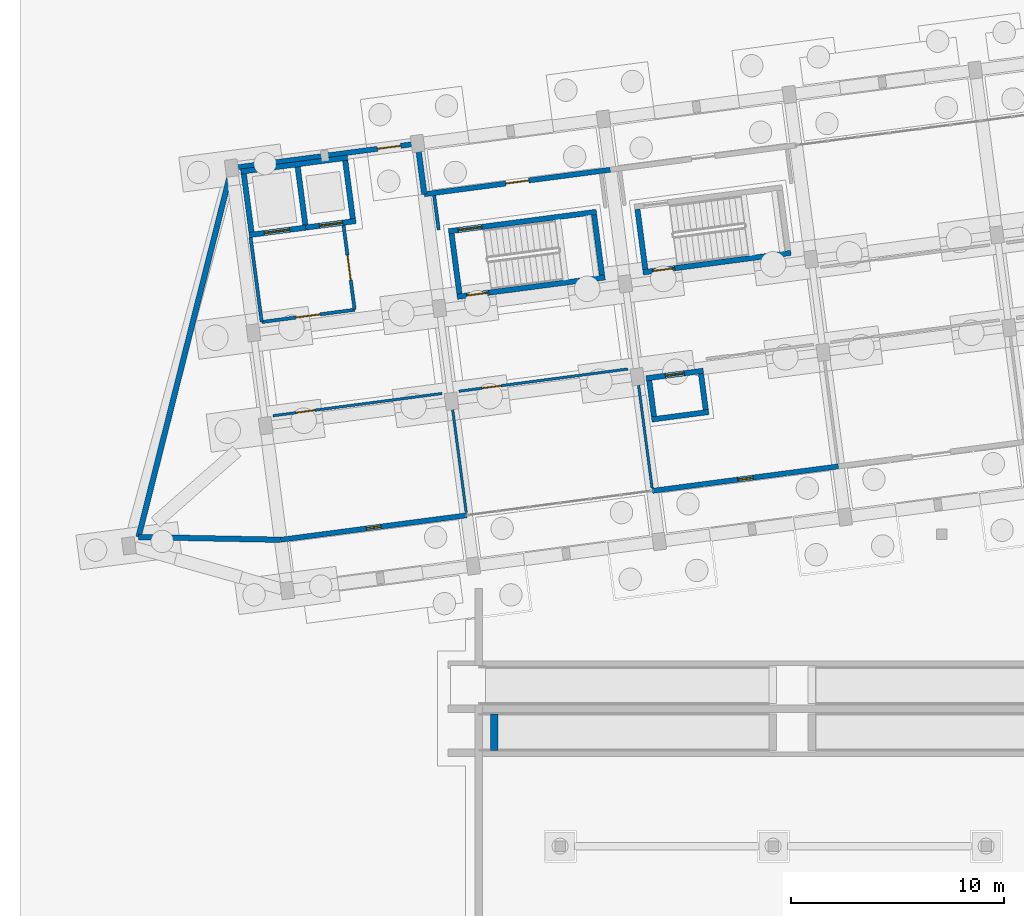
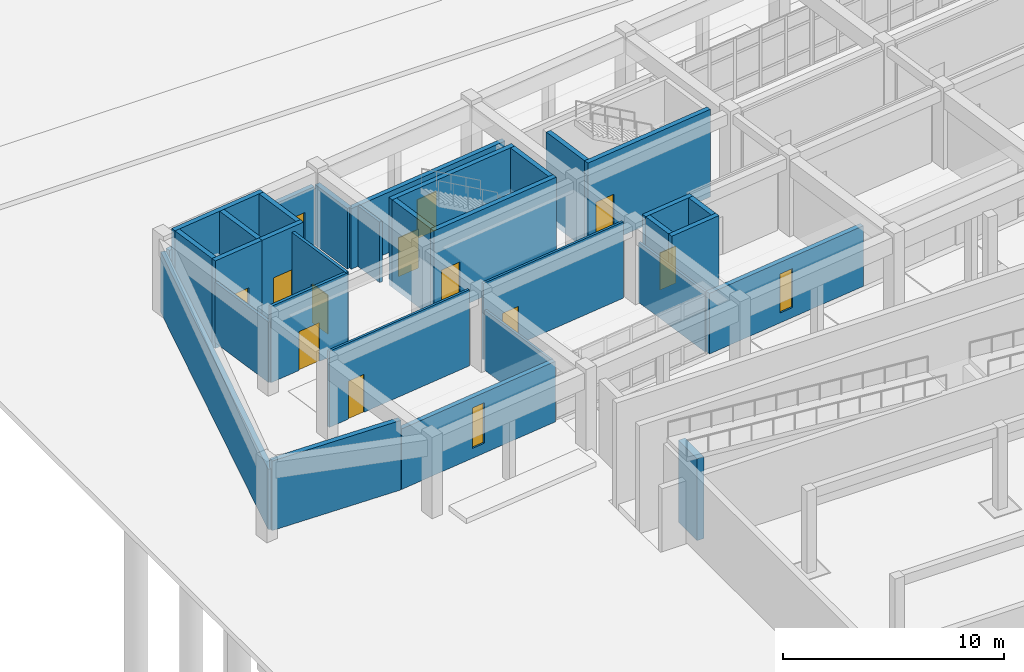
# One storey, part 123 of 154: 32 walls, 12 doors, 2 windows, 14 openings.
"""IFC4 building model written with IfcOpenShell, lengths in metres."""

from ifc_helpers import new_model, si_unit, direction, frame, frame_2d, origin, place, context, subcontext, project, spatial, rectangle, extrude, material, layer, layer_set, type_object, element, fill, save


model = new_model("IFC4")

# Units and contexts
model_context = context("Model", 3, precision=1e-05, world=origin(), true_north=direction((0.0, 1.0)))
body_context = subcontext(model_context, "Body", "Model", "MODEL_VIEW")
ifc_project = project(units=[si_unit("LENGTHUNIT", "METRE"), si_unit("AREAUNIT", "SQUARE_METRE"), si_unit("VOLUMEUNIT", "CUBIC_METRE"), si_unit("PLANEANGLEUNIT", "RADIAN"), si_unit("MASSUNIT", "GRAM", prefix="KILO")], contexts=[model_context])

# Site, building, storey
site_placement = place(None, origin())
site = spatial("IfcSite", under=ifc_project, at=site_placement, CompositionType="ELEMENT")
building_placement = place(site_placement, origin())
building = spatial("IfcBuilding", under=site, at=building_placement, Name="Kestramere Prow Commons", CompositionType="ELEMENT")
storey_placement = place(building_placement, origin())
storey = spatial("IfcBuildingStorey", under=building, at=storey_placement, Name="L00", CompositionType="ELEMENT", Elevation=0.0)

# Walls
ifc_material_1 = material(Name="Weathered Zinc-Titanium Standing-Seam Cladding")
ifc_layer_1 = layer(ifc_material_1, 0.260009765625)
ifc_layer_set_1 = layer_set([ifc_layer_1], Name="Weathered Zinc-Titanium Standing-Seam Cladding")
wall_type_1 = type_object("IfcWallType", Name="EW-PROW-260", PredefinedType="SOLIDWALL", material=ifc_layer_set_1)
wall_1_placement = place(storey_placement, frame((10.88671875, 74.37939453125, 0.0), z_axis=(0.0, 0.0, 1.0), x_axis=(-0.999809980174, 0.019493679608, 0.0)))
element("IfcWall", 1, at=wall_1_placement, inside=storey, type_object=wall_type_1, Name="Block A L00 PRW-S Wall", PredefinedType="SOLIDWALL", context=body_context, shape_type="SweptSolid", body=[
    extrude(rectangle(XDim=6.67529296875, YDim=0.260009765625, at=frame_2d((3.337646484375, 0.0))), origin(), (0.0, 0.0, 1.0), 3.85009765625),
])
wall_2_placement = place(storey_placement, frame((4.212646484375, 74.509521484375, 0.0), z_axis=(0.0, 0.0, 1.0), x_axis=(0.245004508144, 0.969521939406, 0.0)))
element("IfcWall", 2, at=wall_2_placement, inside=storey, type_object=wall_type_1, Name="Block A L00 PRW-N Wall", PredefinedType="SOLIDWALL", context=body_context, shape_type="SweptSolid", body=[
    extrude(rectangle(XDim=17.86376953125, YDim=0.260009765625, at=frame_2d((8.931884765625, 0.0))), origin(), (0.0, 0.0, 1.0), 3.35009765625),
])
wall_3_placement = place(storey_placement, frame((17.314208984375, 92.9775390625, 0.0), z_axis=(0.0, 0.0, 1.0), x_axis=(0.130517668463, -0.99144598351, 0.0)))
element("IfcWall", 3, at=wall_3_placement, inside=storey, type_object=wall_type_1, Name="Block A L00 STP-N Wall", PredefinedType="SOLIDWALL", context=body_context, shape_type="SweptSolid", body=[
    extrude(rectangle(XDim=2.39990234375, YDim=0.260009765625, at=frame_2d((1.199951171875, 0.0))), origin(), (0.0, 0.0, 1.0), 3.35009765625),
])

# Wall, opening, window
ifc_material_2 = material(Name="Fluoropolymer Standing-Seam Zinc-Aluminium Cladding", Category="aluminium")
ifc_layer_2 = layer(ifc_material_2, 0.239990234375)
ifc_layer_set_2 = layer_set([ifc_layer_2], Name="Fluoropolymer Standing-Seam Zinc-Aluminium Cladding")
wall_type_2 = type_object("IfcWallType", Name="EW-SEAM-240", PredefinedType="SOLIDWALL", material=ifc_layer_set_2)
wall_4_placement = place(storey_placement, frame((19.611572265625, 75.528076171875, 0.0), z_axis=(0.0, 0.0, 1.0), x_axis=(-0.991444377792, -0.130529865336, 0.0)))
wall_4 = element("IfcWall", 4, at=wall_4_placement, inside=storey, type_object=wall_type_2, Name="Block A L00 South Recessed Wall 1", PredefinedType="SOLIDWALL", context=body_context, shape_type="SweptSolid", body=[
    extrude(rectangle(XDim=8.800048828125, YDim=0.239990234375, at=frame_2d((4.39990234375, 0.0))), origin(), (0.0, 0.0, 1.0), 3.35009765625),
])
opening_1_placement = place(wall_4_placement, frame((4.06005859375, 0.0, 0.550048828125)))
opening_1 = element("IfcOpeningElement", 5, at=opening_1_placement, cuts=wall_4, Name="Opening WN-06", PredefinedType="OPENING", context=body_context, shape_type="SweptSolid", body=[
    extrude(rectangle(XDim=0.679931640625, YDim=2.239990234375, at=frame_2d((0.33984375, 1.1201171875))), frame((0.0, 0.135009765625, 0.0), z_axis=(0.0, -1.0, 0.0), x_axis=(1.0, 0.0, 0.0)), (0.0, 0.0, 1.0), 0.27001953125),
])
ifc_material_3 = material(Name="Low-E Laminated Double Glazing", Category="glass")
window_type_1 = type_object("IfcWindowType", Name="WN-NAR-680A", PartitioningType="SINGLE_PANEL", PredefinedType="WINDOW", material=ifc_material_3)
window_1_placement = place(opening_1_placement, origin())
window_1 = element("IfcWindow", 6, at=window_1_placement, inside=storey, type_object=window_type_1, Name="WN-A-L00-S-0", OverallHeight=2.239990234375, OverallWidth=0.679931640625, PartitioningType="SINGLE_PANEL", PredefinedType="WINDOW", context=body_context, shape_type="SweptSolid", body=[
    extrude(rectangle(XDim=0.679931640625, YDim=2.239990234375, at=frame_2d((0.33984375, 1.1201171875))), frame((0.0, 0.030029296875, 0.0), z_axis=(0.0, -1.0, 0.0), x_axis=(1.0, 0.0, 0.0)), (0.0, 0.0, 1.0), 0.06005859375),
])
fill(opening_1, window_1)

wall_5_placement = place(storey_placement, frame((37.060791015625, 77.825439453125, 0.0), z_axis=(0.0, 0.0, 1.0), x_axis=(-0.991443905089, -0.130533455715, 0.0)))
wall_5 = element("IfcWall", 7, at=wall_5_placement, inside=storey, type_object=wall_type_2, Name="Block A L00 South Recessed Wall 3", PredefinedType="SOLIDWALL", context=body_context, shape_type="SweptSolid", body=[
    extrude(rectangle(XDim=8.7998046875, YDim=0.239990234375, at=frame_2d((4.39990234375, 0.0))), origin(), (0.0, 0.0, 1.0), 3.35009765625),
])
opening_2_placement = place(wall_5_placement, frame((4.0400390625, 0.0, 0.550048828125)))
opening_2 = element("IfcOpeningElement", 8, at=opening_2_placement, cuts=wall_5, Name="Opening WN-08", PredefinedType="OPENING", context=body_context, shape_type="SweptSolid", body=[
    extrude(rectangle(XDim=0.719970703125, YDim=2.159912109375, at=frame_2d((0.35986328125, 1.080078125))), frame((0.0, 0.135009765625, 0.0), z_axis=(0.0, -1.0, 0.0), x_axis=(1.0, 0.0, 0.0)), (0.0, 0.0, 1.0), 0.27001953125),
])
window_type_2 = type_object("IfcWindowType", Name="WN-NAR-720A", PartitioningType="SINGLE_PANEL", PredefinedType="WINDOW", material=ifc_material_3)
window_2_placement = place(opening_2_placement, origin())
window_2 = element("IfcWindow", 9, at=window_2_placement, inside=storey, type_object=window_type_2, Name="WN-A-L00-S-2", OverallHeight=2.159912109375, OverallWidth=0.719970703125, PartitioningType="SINGLE_PANEL", PredefinedType="WINDOW", context=body_context, shape_type="SweptSolid", body=[
    extrude(rectangle(XDim=0.719970703125, YDim=2.159912109375, at=frame_2d((0.35986328125, 1.080078125))), frame((0.0, 0.030029296875, 0.0), z_axis=(0.0, -1.0, 0.0), x_axis=(1.0, 0.0, 0.0)), (0.0, 0.0, 1.0), 0.06005859375),
])
fill(opening_2, window_2)

# Wall, opening, door
wall_6_placement = place(storey_placement, frame((8.83740234375, 91.861572265625, 0.0), z_axis=(0.0, 0.0, 1.0), x_axis=(0.99144668492, 0.130512340266, 0.0)))
wall_6 = element("IfcWall", 10, at=wall_6_placement, inside=storey, type_object=wall_type_2, Name="Block A L00 North Recessed Wall 1", PredefinedType="SOLIDWALL", context=body_context, shape_type="SweptSolid", body=[
    extrude(rectangle(XDim=8.300048828125, YDim=0.239990234375, at=frame_2d((4.14990234375, 0.0))), origin(), (0.0, 0.0, 1.0), 3.35009765625),
])
opening_3_placement = place(wall_6_placement, frame((6.64990234375, 0.0, 0.0)))
opening_3 = element("IfcOpeningElement", 11, at=opening_3_placement, cuts=wall_6, Name="Opening ED-04", PredefinedType="OPENING", context=body_context, shape_type="SweptSolid", body=[
    extrude(rectangle(XDim=1.10009765625, YDim=2.14990234375, at=frame_2d((0.550048828125, 1.074951171875))), frame((0.0, 0.135009765625, 0.0), z_axis=(0.0, -1.0, 0.0), x_axis=(1.0, 0.0, 0.0)), (0.0, 0.0, 1.0), 0.27001953125),
])
ifc_material_4 = material(Name="Thermally-Broken Anodised Aluminium Glazed", Category="aluminium")
door_type_1 = type_object("IfcDoorType", Name="ED-FFL-1100", OperationType="NOTDEFINED", PredefinedType="DOOR", material=ifc_material_4)
door_1_placement = place(opening_3_placement, origin())
door_1 = element("IfcDoor", 12, at=door_1_placement, inside=storey, type_object=door_type_1, Name="Block A Fire-Fighting Lobby Exit Door", OperationType="SINGLE_SWING_LEFT", OverallHeight=2.14990234375, OverallWidth=1.10009765625, PredefinedType="DOOR", context=body_context, shape_type="SweptSolid", body=[
    extrude(rectangle(XDim=1.10009765625, YDim=2.14990234375, at=frame_2d((0.550048828125, 1.074951171875))), frame((0.0, 0.02490234375, 0.0), z_axis=(0.0, -1.0, 0.0), x_axis=(1.0, 0.0, 0.0)), (0.0, 0.0, 1.0), 0.050048828125),
])
fill(opening_3, door_1)

wall_7_placement = place(storey_placement, frame((17.62744140625, 90.59814453125, 0.0), z_axis=(0.0, 0.0, 1.0), x_axis=(0.991447495205, 0.130506184728, 0.0)))
wall_7 = element("IfcWall", 13, at=wall_7_placement, inside=storey, type_object=wall_type_2, Name="Block A L00 North Recessed Wall 2", PredefinedType="SOLIDWALL", context=body_context, shape_type="SweptSolid", body=[
    extrude(rectangle(XDim=8.7998046875, YDim=0.239990234375, at=frame_2d((4.39990234375, 0.0))), origin(), (0.0, 0.0, 1.0), 3.35009765625),
])
opening_4_placement = place(wall_7_placement, frame((3.85009765625, 0.0, 0.0)))
opening_4 = element("IfcOpeningElement", 14, at=opening_4_placement, cuts=wall_7, Name="Opening ED-03", PredefinedType="OPENING", context=body_context, shape_type="SweptSolid", body=[
    extrude(rectangle(XDim=1.10009765625, YDim=2.14990234375, at=frame_2d((0.550048828125, 1.074951171875))), frame((0.0, 0.135009765625, 0.0), z_axis=(0.0, -1.0, 0.0), x_axis=(1.0, 0.0, 0.0)), (0.0, 0.0, 1.0), 0.27001953125),
])
door_type_2 = type_object("IfcDoorType", Name="ED-STAIR-1100", OperationType="NOTDEFINED", PredefinedType="DOOR", material=ifc_material_4)
door_2_placement = place(opening_4_placement, origin())
door_2 = element("IfcDoor", 15, at=door_2_placement, inside=storey, type_object=door_type_2, Name="Block A Stair 1 Final Exit Door", OperationType="SINGLE_SWING_RIGHT", OverallHeight=2.14990234375, OverallWidth=1.10009765625, PredefinedType="DOOR", context=body_context, shape_type="SweptSolid", body=[
    extrude(rectangle(XDim=1.10009765625, YDim=2.14990234375, at=frame_2d((0.550048828125, 1.074951171875))), frame((0.0, 0.02490234375, 0.0), z_axis=(0.0, -1.0, 0.0), x_axis=(1.0, 0.0, 0.0)), (0.0, 0.0, 1.0), 0.050048828125),
])
fill(opening_4, door_2)

# Wall
ifc_material_5 = material(Name="Concrete C40/50", Category="concrete")
ifc_layer_3 = layer(ifc_material_5, 0.25)
ifc_layer_set_3 = layer_set([ifc_layer_3], Name="Concrete C40/50")
wall_type_3 = type_object("IfcWallType", Name="W-CORE-250", PredefinedType="SHEAR", material=ifc_layer_set_3)
wall_8_placement = place(storey_placement, frame((9.015380859375, 91.657958984375, -0.35009765625), z_axis=(0.0, 0.0, 1.0), x_axis=(0.991444419808, 0.130529546201, 0.0)))
element("IfcWall", 16, at=wall_8_placement, inside=storey, type_object=wall_type_3, Name="Block A L00 Lift Core Back Wall", PredefinedType="SHEAR", context=body_context, shape_type="SweptSolid", body=[
    extrude(rectangle(XDim=5.050048828125, YDim=0.25, at=frame_2d((2.52490234375, 0.0))), origin(), (0.0, 0.0, 1.0), 4.85009765625),
])

# Wall, opening, door
wall_9_placement = place(storey_placement, frame((9.406982421875, 88.68359375, -0.35009765625), z_axis=(0.0, 0.0, 1.0), x_axis=(0.991434713833, 0.130603247307, 0.0)))
wall_9 = element("IfcWall", 17, at=wall_9_placement, inside=storey, type_object=wall_type_3, Name="Block A L00 Fire Lift Shaft Front Wall", PredefinedType="SHEAR", context=body_context, shape_type="SweptSolid", body=[
    extrude(rectangle(XDim=2.675048828125, YDim=0.25, at=frame_2d((1.33740234375, 0.0))), origin(), (0.0, 0.0, 1.0), 4.85009765625),
])
opening_5_placement = place(wall_9_placement, frame((0.719970703125, 0.0, 0.35009765625)))
opening_5 = element("IfcOpeningElement", 18, at=opening_5_placement, cuts=wall_9, Name="Opening LD-02", PredefinedType="OPENING", context=body_context, shape_type="SweptSolid", body=[
    extrude(rectangle(XDim=1.199951171875, YDim=2.199951171875, at=frame_2d((0.60009765625, 1.10009765625))), frame((0.0, 0.139892578125, 0.0), z_axis=(0.0, -1.0, 0.0), x_axis=(1.0, 0.0, 0.0)), (0.0, 0.0, 1.0), 0.280029296875),
])
ifc_material_6 = material(Name="Brushed Stainless Steel 316", Category="steel")
door_type_3 = type_object("IfcDoorType", Name="LD-02", OperationType="DOUBLE_DOOR_SLIDING", PredefinedType="DOOR", material=ifc_material_6)
door_3_placement = place(opening_5_placement, origin())
door_3 = element("IfcDoor", 19, at=door_3_placement, inside=storey, type_object=door_type_3, Name="FL-A1 L00 Lift Landing Door", OperationType="DOUBLE_DOOR_SLIDING", OverallHeight=2.199951171875, OverallWidth=1.199951171875, PredefinedType="DOOR", context=body_context, shape_type="SweptSolid", body=[
    extrude(rectangle(XDim=1.199951171875, YDim=2.199951171875, at=frame_2d((0.60009765625, 1.10009765625))), frame((0.0, 0.02490234375, 0.0), z_axis=(0.0, -1.0, 0.0), x_axis=(1.0, 0.0, 0.0)), (0.0, 0.0, 1.0), 0.050048828125),
])
fill(opening_5, door_3)

wall_10_placement = place(storey_placement, frame((12.05908203125, 89.032958984375, -0.35009765625), z_axis=(0.0, 0.0, 1.0), x_axis=(0.99145534515, 0.130446535303, 0.0)))
wall_10 = element("IfcWall", 20, at=wall_10_placement, inside=storey, type_object=wall_type_3, Name="Block A L00 Passenger Lift Shaft Front Wall", PredefinedType="SHEAR", context=body_context, shape_type="SweptSolid", body=[
    extrude(rectangle(XDim=2.375, YDim=0.25, at=frame_2d((1.1875, 0.0))), origin(), (0.0, 0.0, 1.0), 4.85009765625),
])
opening_6_placement = place(wall_10_placement, frame((0.64990234375, 0.0, 0.35009765625)))
opening_6 = element("IfcOpeningElement", 21, at=opening_6_placement, cuts=wall_10, Name="Opening LD-01", PredefinedType="OPENING", context=body_context, shape_type="SweptSolid", body=[
    extrude(rectangle(XDim=1.10009765625, YDim=2.14990234375, at=frame_2d((0.550048828125, 1.074951171875))), frame((0.0, 0.139892578125, 0.0), z_axis=(0.0, -1.0, 0.0), x_axis=(1.0, 0.0, 0.0)), (0.0, 0.0, 1.0), 0.280029296875),
])
ifc_material_7 = material(Name="Brushed Stainless Steel 304", Category="steel")
door_type_4 = type_object("IfcDoorType", Name="LD-01", OperationType="DOUBLE_DOOR_SLIDING", PredefinedType="DOOR", material=ifc_material_7)
door_4_placement = place(opening_6_placement, origin())
door_4 = element("IfcDoor", 22, at=door_4_placement, inside=storey, type_object=door_type_4, Name="PL-A2 L00 Lift Landing Door", OperationType="DOUBLE_DOOR_SLIDING", OverallHeight=2.14990234375, OverallWidth=1.10009765625, PredefinedType="DOOR", context=body_context, shape_type="SweptSolid", body=[
    extrude(rectangle(XDim=1.10009765625, YDim=2.14990234375, at=frame_2d((0.550048828125, 1.074951171875))), frame((0.0, 0.02490234375, 0.0), z_axis=(0.0, -1.0, 0.0), x_axis=(1.0, 0.0, 0.0)), (0.0, 0.0, 1.0), 0.050048828125),
])
fill(opening_6, door_4)

# Walls
for number, where, z_axis, x_axis, name in (
    (23, (9.5146484375, 88.823974609375, -0.35009765625), (0.0, 0.0, 1.0), (-0.130500441374, 0.991448251197, 0.0), "Block A L00 Lift Core Side Wall L"),
    (24, (12.042724609375, 89.15673828125, -0.35009765625), (0.0, 0.0, 1.0), (-0.130500441374, 0.991448251197, 0.0), "Block A L00 Lift Core Side Wall M"),
    (25, (14.2734375, 89.450439453125, -0.35009765625), (0.0, 0.0, 1.0), (-0.130500441374, 0.991448251197, 0.0), "Block A L00 Lift Core Side Wall R"),
):
    element("IfcWall", number, at=place(storey_placement, frame(where, z_axis=z_axis, x_axis=x_axis)), inside=storey, type_object=wall_type_3, Name=name, PredefinedType="SHEAR", context=body_context, shape_type="SweptSolid", body=[
        extrude(rectangle(XDim=2.75, YDim=0.25, at=frame_2d((1.375, 0.0))), origin(), (0.0, 0.0, 1.0), 4.85009765625),
    ])

# Wall, opening, door
wall_11_placement = place(storey_placement, frame((18.764404296875, 88.856689453125, -0.35009765625), z_axis=(0.0, 0.0, 1.0), x_axis=(0.991447052715, 0.13050954625, 0.0)))
wall_11 = element("IfcWall", 26, at=wall_11_placement, inside=storey, type_object=wall_type_3, Name="ST-A1 L00 North Shaft Wall", PredefinedType="SHEAR", context=body_context, shape_type="SweptSolid", body=[
    extrude(rectangle(XDim=7.0, YDim=0.25, at=frame_2d((3.5, 0.0))), origin(), (0.0, 0.0, 1.0), 4.85009765625),
])
opening_7_placement = place(wall_11_placement, frame((0.449951171875, 0.0, 0.35009765625)))
opening_7 = element("IfcOpeningElement", 27, at=opening_7_placement, cuts=wall_11, Name="Opening ID-02", PredefinedType="OPENING", context=body_context, shape_type="SweptSolid", body=[
    extrude(rectangle(XDim=1.1201171875, YDim=2.14990234375, at=frame_2d((0.56005859375, 1.074951171875))), frame((0.0, 0.139892578125, 0.0), z_axis=(0.0, -1.0, 0.0), x_axis=(1.0, 0.0, 0.0)), (0.0, 0.0, 1.0), 0.280029296875),
])
ifc_material_8 = material(Name="Fire-Rated Timber and Steel Frame", Category="steel")
door_type_5 = type_object("IfcDoorType", Name="FD-ST-02", OperationType="NOTDEFINED", PredefinedType="DOOR", material=ifc_material_8)
door_5_placement = place(opening_7_placement, origin())
door_5 = element("IfcDoor", 28, at=door_5_placement, inside=storey, type_object=door_type_5, Name="ST-A1 L00 Discharge Vestibule Door", OperationType="SINGLE_SWING_RIGHT", OverallHeight=2.14990234375, OverallWidth=1.1201171875, PredefinedType="DOOR", context=body_context, shape_type="SweptSolid", body=[
    extrude(rectangle(XDim=1.1201171875, YDim=2.14990234375, at=frame_2d((0.56005859375, 1.074951171875))), frame((0.0, 0.02490234375, 0.0), z_axis=(0.0, -1.0, 0.0), x_axis=(1.0, 0.0, 0.0)), (0.0, 0.0, 1.0), 0.050048828125),
])
fill(opening_7, door_5)

wall_12_placement = place(storey_placement, frame((19.169189453125, 85.783203125, -0.35009765625), z_axis=(0.0, 0.0, 1.0), x_axis=(0.991446458634, 0.130514059249, 0.0)))
wall_12 = element("IfcWall", 29, at=wall_12_placement, inside=storey, type_object=wall_type_3, Name="ST-A1 L00 Corridor Shaft Wall", PredefinedType="SHEAR", context=body_context, shape_type="SweptSolid", body=[
    extrude(rectangle(XDim=6.999755859375, YDim=0.25, at=frame_2d((3.5, 0.0))), origin(), (0.0, 0.0, 1.0), 4.85009765625),
])
opening_8_placement = place(wall_12_placement, frame((0.449951171875, 0.0, 0.35009765625)))
opening_8 = element("IfcOpeningElement", 30, at=opening_8_placement, cuts=wall_12, Name="Opening ID-01", PredefinedType="OPENING", context=body_context, shape_type="SweptSolid", body=[
    extrude(rectangle(XDim=1.050048828125, YDim=2.14990234375, at=frame_2d((0.52490234375, 1.074951171875))), frame((0.0, 0.139892578125, 0.0), z_axis=(0.0, -1.0, 0.0), x_axis=(1.0, 0.0, 0.0)), (0.0, 0.0, 1.0), 0.280029296875),
])
door_type_6 = type_object("IfcDoorType", Name="FD-ST-01", OperationType="NOTDEFINED", PredefinedType="DOOR", material=ifc_material_8)
door_6_placement = place(opening_8_placement, origin())
door_6 = element("IfcDoor", 31, at=door_6_placement, inside=storey, type_object=door_type_6, Name="ST-A1 L00 Protected Stair Door", OperationType="SINGLE_SWING_LEFT", OverallHeight=2.14990234375, OverallWidth=1.050048828125, PredefinedType="DOOR", context=body_context, shape_type="SweptSolid", body=[
    extrude(rectangle(XDim=1.050048828125, YDim=2.14990234375, at=frame_2d((0.52490234375, 1.074951171875))), frame((0.0, 0.02490234375, 0.0), z_axis=(0.0, -1.0, 0.0), x_axis=(1.0, 0.0, 0.0)), (0.0, 0.0, 1.0), 0.050048828125),
])
fill(opening_8, door_6)

# Walls
for number, where, z_axis, x_axis, name in (
    (32, (19.27685546875, 85.92333984375, -0.35009765625), (0.0, 0.0, 1.0), (-0.130547578832, 0.991442045538, 0.0), "ST-A1 L00 Near Shaft Wall"),
    (33, (25.968994140625, 86.804443359375, -0.35009765625), (0.0, 0.0, 1.0), (-0.130547578832, 0.991442045538, 0.0), "ST-A1 L00 Far Shaft Wall"),
):
    element("IfcWall", number, at=place(storey_placement, frame(where, z_axis=z_axis, x_axis=x_axis)), inside=storey, type_object=wall_type_3, Name=name, PredefinedType="SHEAR", context=body_context, shape_type="SweptSolid", body=[
        extrude(rectangle(XDim=2.85009765625, YDim=0.25, at=frame_2d((1.425048828125, 0.0))), origin(), (0.0, 0.0, 1.0), 4.85009765625),
    ])

# Wall, opening, door
wall_13_placement = place(storey_placement, frame((27.893798828125, 86.931640625, -0.35009765625), z_axis=(0.0, 0.0, 1.0), x_axis=(0.991442539299, 0.130543828916, 0.0)))
wall_13 = element("IfcWall", 34, at=wall_13_placement, inside=storey, type_object=wall_type_3, Name="ST-A2 L00 Corridor Shaft Wall", PredefinedType="SHEAR", context=body_context, shape_type="SweptSolid", body=[
    extrude(rectangle(XDim=7.0, YDim=0.25, at=frame_2d((3.5, 0.0))), origin(), (0.0, 0.0, 1.0), 4.85009765625),
])
opening_9_placement = place(wall_13_placement, frame((0.449951171875, 0.0, 0.35009765625)))
opening_9 = element("IfcOpeningElement", 35, at=opening_9_placement, cuts=wall_13, Name="Opening ID-01", PredefinedType="OPENING", context=body_context, shape_type="SweptSolid", body=[
    extrude(rectangle(XDim=1.050048828125, YDim=2.14990234375, at=frame_2d((0.52490234375, 1.074951171875))), frame((0.0, 0.139892578125, 0.0), z_axis=(0.0, -1.0, 0.0), x_axis=(1.0, 0.0, 0.0)), (0.0, 0.0, 1.0), 0.280029296875),
])
door_7_placement = place(opening_9_placement, origin())
door_7 = element("IfcDoor", 36, at=door_7_placement, inside=storey, type_object=door_type_6, Name="ST-A2 L00 Protected Stair Door", OperationType="SINGLE_SWING_LEFT", OverallHeight=2.14990234375, OverallWidth=1.050048828125, PredefinedType="DOOR", context=body_context, shape_type="SweptSolid", body=[
    extrude(rectangle(XDim=1.050048828125, YDim=2.14990234375, at=frame_2d((0.52490234375, 1.074951171875))), frame((0.0, 0.02490234375, 0.0), z_axis=(0.0, -1.0, 0.0), x_axis=(1.0, 0.0, 0.0)), (0.0, 0.0, 1.0), 0.050048828125),
])
fill(opening_9, door_7)

# Wall
wall_14_placement = place(storey_placement, frame((28.00146484375, 87.072021484375, -0.35009765625), z_axis=(0.0, 0.0, 1.0), x_axis=(-0.130547578832, 0.991442045538, 0.0)))
element("IfcWall", 37, at=wall_14_placement, inside=storey, type_object=wall_type_3, Name="ST-A2 L00 Near Shaft Wall", PredefinedType="SHEAR", context=body_context, shape_type="SweptSolid", body=[
    extrude(rectangle(XDim=2.85009765625, YDim=0.25, at=frame_2d((1.425048828125, 0.0))), origin(), (0.0, 0.0, 1.0), 4.85009765625),
])

# Wall, opening, door
ifc_material_9 = material(Name="Fire-Rated Calcium Silicate Wall")
ifc_layer_4 = layer(ifc_material_9, 0.155029296875)
ifc_layer_set_4 = layer_set([ifc_layer_4], Name="Fire-Rated Calcium Silicate Wall")
wall_type_4 = type_object("IfcWallType", Name="W-FIRE-150", PredefinedType="PARTITIONING", material=ifc_layer_set_4)
wall_15_placement = place(storey_placement, frame((9.994873046875, 84.6005859375, 0.0), z_axis=(0.0, 0.0, 1.0), x_axis=(0.991448440179, 0.130499005613, 0.0)))
wall_15 = element("IfcWall", 38, at=wall_15_placement, inside=storey, type_object=wall_type_4, Name="Interior Partition PW-A-L00-FFL-S", PredefinedType="PARTITIONING", context=body_context, shape_type="SweptSolid", body=[
    extrude(rectangle(XDim=4.400146484375, YDim=0.155029296875, at=frame_2d((2.2001953125, 0.0))), origin(), (0.0, 0.0, 1.0), 4.219970703125),
])
opening_10_placement = place(wall_15_placement, frame((1.60009765625, 0.0, 0.0)))
opening_10 = element("IfcOpeningElement", 39, at=opening_10_placement, cuts=wall_15, Name="Opening ID-03", PredefinedType="OPENING", context=body_context, shape_type="SweptSolid", body=[
    extrude(rectangle(XDim=1.179931640625, YDim=2.14990234375, at=frame_2d((0.58984375, 1.074951171875))), frame((0.0, 0.092529296875, 0.0), z_axis=(0.0, -1.0, 0.0), x_axis=(1.0, 0.0, 0.0)), (0.0, 0.0, 1.0), 0.18505859375),
])
ifc_material_10 = material(Name="Fire-Rated Glazed Smoke-Stop Door")
door_type_7 = type_object("IfcDoorType", Name="FD-LB-01", OperationType="NOTDEFINED", PredefinedType="DOOR", material=ifc_material_10)
door_8_placement = place(opening_10_placement, origin())
door_8 = element("IfcDoor", 40, at=door_8_placement, inside=storey, type_object=door_type_7, Name="Interior Door DR-A-L00-FFL", OperationType="SINGLE_SWING_LEFT", OverallHeight=2.14990234375, OverallWidth=1.179931640625, PredefinedType="DOOR", context=body_context, shape_type="SweptSolid", body=[
    extrude(rectangle(XDim=1.179931640625, YDim=2.14990234375, at=frame_2d((0.58984375, 1.074951171875))), frame((0.0, 0.02490234375, 0.0), z_axis=(0.0, -1.0, 0.0), x_axis=(1.0, 0.0, 0.0)), (0.0, 0.0, 1.0), 0.050048828125),
])
fill(opening_10, door_8)

# Wall
wall_16_placement = place(storey_placement, frame((9.994873046875, 84.6005859375, 0.0), z_axis=(0.0, 0.0, 1.0), x_axis=(-0.130492404742, 0.991449308994, 0.0)))
element("IfcWall", 41, at=wall_16_placement, inside=storey, type_object=wall_type_4, Name="Interior Partition PW-A-L00-FFL-W", PredefinedType="PARTITIONING", context=body_context, shape_type="SweptSolid", body=[
    extrude(rectangle(XDim=4.0, YDim=0.155029296875, at=frame_2d((2.0, 0.0))), origin(), (0.0, 0.0, 1.0), 3.35009765625),
])

# Wall, opening, door
wall_17_placement = place(storey_placement, frame((14.357421875, 85.1748046875, 0.0), z_axis=(0.0, 0.0, 1.0), x_axis=(-0.130552399509, 0.991441410766, 0.0)))
wall_17 = element("IfcWall", 42, at=wall_17_placement, inside=storey, type_object=wall_type_4, Name="Interior Partition PW-A-L00-FFL-E", PredefinedType="PARTITIONING", context=body_context, shape_type="SweptSolid", body=[
    extrude(rectangle(XDim=4.0, YDim=0.155029296875, at=frame_2d((2.0, 0.0))), origin(), (0.0, 0.0, 1.0), 4.219970703125),
])
opening_11_placement = place(wall_17_placement, frame((1.39990234375, 0.0, 0.0)))
opening_11 = element("IfcOpeningElement", 43, at=opening_11_placement, cuts=wall_17, Name="Opening ID-03", PredefinedType="OPENING", context=body_context, shape_type="SweptSolid", body=[
    extrude(rectangle(XDim=1.179931640625, YDim=2.14990234375, at=frame_2d((0.58984375, 1.074951171875))), frame((0.0, 0.092529296875, 0.0), z_axis=(0.0, -1.0, 0.0), x_axis=(1.0, 0.0, 0.0)), (0.0, 0.0, 1.0), 0.18505859375),
])
door_9_placement = place(opening_11_placement, origin())
door_9 = element("IfcDoor", 44, at=door_9_placement, inside=storey, type_object=door_type_7, Name="Interior Door DR-A-L00-FFL-PL", OperationType="SINGLE_SWING_LEFT", OverallHeight=2.14990234375, OverallWidth=1.179931640625, PredefinedType="DOOR", context=body_context, shape_type="SweptSolid", body=[
    extrude(rectangle(XDim=1.179931640625, YDim=2.14990234375, at=frame_2d((0.58984375, 1.074951171875))), frame((0.0, 0.02490234375, 0.0), z_axis=(0.0, -1.0, 0.0), x_axis=(1.0, 0.0, 0.0)), (0.0, 0.0, 1.0), 0.050048828125),
])
fill(opening_11, door_9)

# Walls
wall_18_placement = place(storey_placement, frame((18.30126953125, 88.9267578125, 0.0), z_axis=(0.0, 0.0, 1.0), x_axis=(-0.130505189885, 0.991447626157, 0.0)))
element("IfcWall", 45, at=wall_18_placement, inside=storey, type_object=wall_type_4, Name="ST-A1 Discharge Vestibule Wall W", PredefinedType="PARTITIONING", context=body_context, shape_type="SweptSolid", body=[
    extrude(rectangle(XDim=1.6201171875, YDim=0.155029296875, at=frame_2d((0.81005859375, 0.0))), origin(), (0.0, 0.0, 1.0), 3.35009765625),
])
ifc_layer_5 = layer(ifc_material_5, 0.25)
ifc_layer_set_5 = layer_set([ifc_layer_5], Name="Concrete C40/50")
wall_type_5 = type_object("IfcWallType", Name="W-HS-250", PredefinedType="SHEAR", material=ifc_layer_set_5)
wall_19_placement = place(storey_placement, frame((28.298828125, 80.025390625, -0.35009765625), z_axis=(0.0, 0.0, 1.0), x_axis=(0.991438283356, 0.130576147498, 0.0)))
element("IfcWall", 46, at=wall_19_placement, inside=storey, type_object=wall_type_5, Name="Block A L00 Household Shelter South Wall", PredefinedType="SHEAR", context=body_context, shape_type="SweptSolid", body=[
    extrude(rectangle(XDim=2.699951171875, YDim=0.25, at=frame_2d((1.35009765625, 0.0))), origin(), (0.0, 0.0, 1.0), 4.85009765625),
])

# Wall, opening, door
wall_20_placement = place(storey_placement, frame((28.044189453125, 81.958740234375, -0.35009765625), z_axis=(0.0, 0.0, 1.0), x_axis=(0.991439824936, 0.130564442062, 0.0)))
wall_20 = element("IfcWall", 47, at=wall_20_placement, inside=storey, type_object=wall_type_5, Name="Block A L00 Household Shelter North Wall", PredefinedType="SHEAR", context=body_context, shape_type="SweptSolid", body=[
    extrude(rectangle(XDim=2.7001953125, YDim=0.25, at=frame_2d((1.35009765625, 0.0))), origin(), (0.0, 0.0, 1.0), 4.85009765625),
])
opening_12_placement = place(wall_20_placement, frame((0.89990234375, 0.0, 0.35009765625)))
opening_12 = element("IfcOpeningElement", 48, at=opening_12_placement, cuts=wall_20, Name="Opening ID-06", PredefinedType="OPENING", context=body_context, shape_type="SweptSolid", body=[
    extrude(rectangle(XDim=0.89990234375, YDim=2.050048828125, at=frame_2d((0.449951171875, 1.02490234375))), frame((0.0, 0.139892578125, 0.0), z_axis=(0.0, -1.0, 0.0), x_axis=(1.0, 0.0, 0.0)), (0.0, 0.0, 1.0), 0.280029296875),
])
ifc_material_11 = material(Name="Galvanised Steel S275JR Household Shelter Door", Category="steel")
door_type_8 = type_object("IfcDoorType", Name="FD-HS-01", OperationType="NOTDEFINED", PredefinedType="DOOR", material=ifc_material_11)
door_10_placement = place(opening_12_placement, origin())
door_10 = element("IfcDoor", 49, at=door_10_placement, inside=storey, type_object=door_type_8, Name="Block A L00 Household Shelter Blast Door", OperationType="SINGLE_SWING_RIGHT", OverallHeight=2.050048828125, OverallWidth=0.89990234375, PredefinedType="DOOR", context=body_context, shape_type="SweptSolid", body=[
    extrude(rectangle(XDim=0.89990234375, YDim=2.050048828125, at=frame_2d((0.449951171875, 1.02490234375))), frame((0.0, 0.02490234375, 0.0), z_axis=(0.0, -1.0, 0.0), x_axis=(1.0, 0.0, 0.0)), (0.0, 0.0, 1.0), 0.050048828125),
])
fill(opening_12, door_10)

# Walls
wall_21_placement = place(storey_placement, frame((28.40625, 80.165771484375, -0.35009765625), z_axis=(0.0, 0.0, 1.0), x_axis=(-0.130413643681, 0.991459672171, 0.0)))
element("IfcWall", 50, at=wall_21_placement, inside=storey, type_object=wall_type_5, Name="Block A L00 Household Shelter W Wall", PredefinedType="SHEAR", context=body_context, shape_type="SweptSolid", body=[
    extrude(rectangle(XDim=1.69970703125, YDim=0.25, at=frame_2d((0.849853515625, 0.0))), origin(), (0.0, 0.0, 1.0), 4.85009765625),
])
wall_22_placement = place(storey_placement, frame((30.83544921875, 80.485595703125, -0.35009765625), z_axis=(0.0, 0.0, 1.0), x_axis=(-0.1305548243, 0.991441091468, 0.0)))
element("IfcWall", 51, at=wall_22_placement, inside=storey, type_object=wall_type_5, Name="Block A L00 Household Shelter E Wall", PredefinedType="SHEAR", context=body_context, shape_type="SweptSolid", body=[
    extrude(rectangle(XDim=1.699951171875, YDim=0.25, at=frame_2d((0.85009765625, 0.0))), origin(), (0.0, 0.0, 1.0), 4.85009765625),
])

# Wall, opening, door
ifc_material_12 = material(Name="Lightweight Blockwork and Plaster", Category="masonry")
ifc_layer_6 = layer(ifc_material_12, 0.1201171875)
ifc_layer_set_6 = layer_set([ifc_layer_6], Name="Lightweight Blockwork and Plaster")
wall_type_6 = type_object("IfcWallType", Name="W-PART-120", PredefinedType="PARTITIONING", material=ifc_layer_set_6)
wall_23_placement = place(storey_placement, frame((10.523681640625, 80.201904296875, 0.0), z_axis=(0.0, 0.0, 1.0), x_axis=(0.991445360318, 0.130522402305, 0.0)))
wall_23 = element("IfcWall", 52, at=wall_23_placement, inside=storey, type_object=wall_type_6, Name="Interior Partition PW-A-L00-CS-0", PredefinedType="PARTITIONING", context=body_context, shape_type="SweptSolid", body=[
    extrude(rectangle(XDim=8.0, YDim=0.1201171875, at=frame_2d((4.0, 0.0))), origin(), (0.0, 0.0, 1.0), 4.219970703125),
])
opening_13_placement = place(wall_23_placement, frame((1.10009765625, 0.0, 0.0)))
opening_13 = element("IfcOpeningElement", 53, at=opening_13_placement, cuts=wall_23, Name="Opening ID-10", PredefinedType="OPENING", context=body_context, shape_type="SweptSolid", body=[
    extrude(rectangle(XDim=0.8798828125, YDim=2.10009765625, at=frame_2d((0.43994140625, 1.050048828125))), frame((0.0, 0.074951171875, 0.0), z_axis=(0.0, -1.0, 0.0), x_axis=(1.0, 0.0, 0.0)), (0.0, 0.0, 1.0), 0.150146484375),
])
ifc_material_13 = material(Name="Engineered Timber Bedroom Door", Category="wood")
door_type_9 = type_object("IfcDoorType", Name="D-RM-03", OperationType="NOTDEFINED", PredefinedType="DOOR", material=ifc_material_13)
door_11_placement = place(opening_13_placement, origin())
door_11 = element("IfcDoor", 54, at=door_11_placement, inside=storey, type_object=door_type_9, Name="Interior Door DR-A-L00-S-0", OperationType="SINGLE_SWING_LEFT", OverallHeight=2.10009765625, OverallWidth=0.8798828125, PredefinedType="DOOR", context=body_context, shape_type="SweptSolid", body=[
    extrude(rectangle(XDim=0.8798828125, YDim=2.10009765625, at=frame_2d((0.43994140625, 1.050048828125))), frame((0.0, 0.02490234375, 0.0), z_axis=(0.0, -1.0, 0.0), x_axis=(1.0, 0.0, 0.0)), (0.0, 0.0, 1.0), 0.050048828125),
])
fill(opening_13, door_11)

wall_24_placement = place(storey_placement, frame((19.248291015625, 81.3505859375, 0.0), z_axis=(0.0, 0.0, 1.0), x_axis=(0.991445360318, 0.130522402305, 0.0)))
wall_24 = element("IfcWall", 55, at=wall_24_placement, inside=storey, type_object=wall_type_6, Name="Interior Partition PW-A-L00-CS-1", PredefinedType="PARTITIONING", context=body_context, shape_type="SweptSolid", body=[
    extrude(rectangle(XDim=8.0, YDim=0.1201171875, at=frame_2d((4.0, 0.0))), origin(), (0.0, 0.0, 1.0), 4.219970703125),
])
opening_14_placement = place(wall_24_placement, frame((1.10009765625, 0.0, 0.0)))
opening_14 = element("IfcOpeningElement", 56, at=opening_14_placement, cuts=wall_24, Name="Opening ID-08", PredefinedType="OPENING", context=body_context, shape_type="SweptSolid", body=[
    extrude(rectangle(XDim=0.89990234375, YDim=2.10009765625, at=frame_2d((0.449951171875, 1.050048828125))), frame((0.0, 0.074951171875, 0.0), z_axis=(0.0, -1.0, 0.0), x_axis=(1.0, 0.0, 0.0)), (0.0, 0.0, 1.0), 0.150146484375),
])
ifc_material_14 = material(Name="Engineered Timber Flush Door", Category="wood")
door_type_10 = type_object("IfcDoorType", Name="D-RM-01", OperationType="NOTDEFINED", PredefinedType="DOOR", material=ifc_material_14)
door_12_placement = place(opening_14_placement, origin())
door_12 = element("IfcDoor", 57, at=door_12_placement, inside=storey, type_object=door_type_10, Name="Interior Door DR-A-L00-S-1", OperationType="SINGLE_SWING_RIGHT", OverallHeight=2.10009765625, OverallWidth=0.89990234375, PredefinedType="DOOR", context=body_context, shape_type="SweptSolid", body=[
    extrude(rectangle(XDim=0.89990234375, YDim=2.10009765625, at=frame_2d((0.449951171875, 1.050048828125))), frame((0.0, 0.02490234375, 0.0), z_axis=(0.0, -1.0, 0.0), x_axis=(1.0, 0.0, 0.0)), (0.0, 0.0, 1.0), 0.050048828125),
])
fill(opening_14, door_12)

# Walls
for number, where, z_axis, x_axis, name in (
    (58, (19.594482421875, 75.656982421875, 0.0), (0.0, 0.0, 1.0), (-0.130522269222, 0.991445377838, 0.0), "Interior Partition PW-A-L00-DVS-1"),
    (59, (28.319091796875, 76.8056640625, 0.0), (0.0, 0.0, 1.0), (-0.130522269222, 0.991445377838, 0.0), "Interior Partition PW-A-L00-DVS-2"),
):
    element("IfcWall", number, at=place(storey_placement, frame(where, z_axis=z_axis, x_axis=x_axis)), inside=storey, type_object=wall_type_6, Name=name, PredefinedType="PARTITIONING", context=body_context, shape_type="SweptSolid", body=[
        extrude(rectangle(XDim=4.93994140625, YDim=0.1201171875, at=frame_2d((2.469970703125, 0.0))), origin(), (0.0, 0.0, 1.0), 3.320068359375),
    ])
ifc_material_15 = material(Name="Pigmented Charcoal Concrete C35/45", Category="concrete")
ifc_layer_7 = layer(ifc_material_15, 0.35009765625)
ifc_layer_set_7 = layer_set([ifc_layer_7], Name="Pigmented Charcoal Concrete C35/45")
wall_type_7 = type_object("IfcWallType", Name="W-RET-350", PredefinedType="USERDEFINED", material=ifc_layer_set_7)
wall_25_placement = place(storey_placement, frame((20.919921875, 64.5, -0.35009765625), z_axis=(0.0, 0.0, 1.0), x_axis=(0.0, 1.0, 0.0)))
element("IfcWall", 60, at=wall_25_placement, inside=storey, type_object=wall_type_7, Name="Hillside Ramp W Bearing Stem Wall TOP", ObjectType="RETAINING WALL", PredefinedType="USERDEFINED", context=body_context, shape_type="SweptSolid", body=[
    extrude(rectangle(XDim=1.699951171875, YDim=0.35009765625, at=frame_2d((0.85009765625, 0.0))), origin(), (0.0, 0.0, 1.0), 4.530029296875),
])

save(model, "model.ifc")
